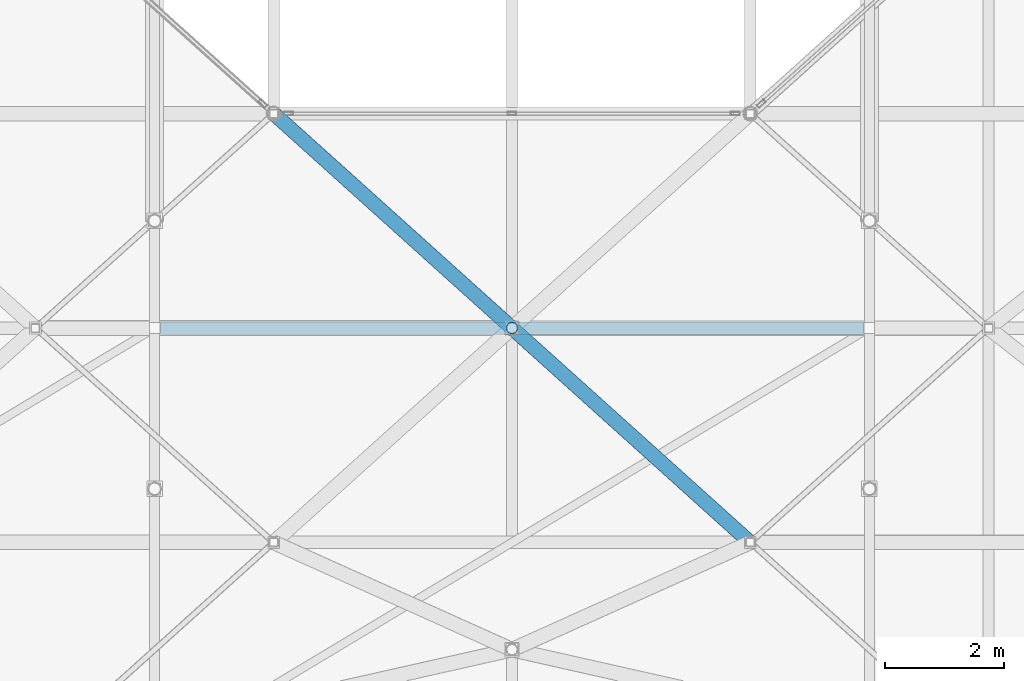
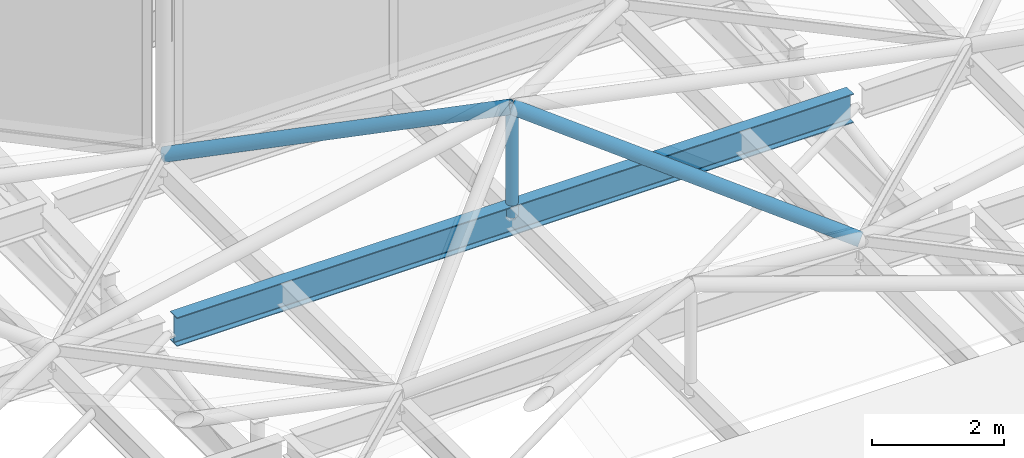
# One storey, part 37 of 239: 3 members, 1 beam.
"""IFC4 building model written with IfcOpenShell, lengths in metres."""

from ifc_helpers import new_model, si_unit, direction, frame, origin, origin_2d, place, context, subcontext, project, spatial, hollow_circle, i_section, extrude, material, material_profile, profile_set, type_object, element, save


model = new_model("IFC4")

# Units and contexts
model_context = context("Model", 3, precision=1e-05, world=origin(), true_north=direction((0.0, 1.0)))
body_context = subcontext(model_context, "Body", "Model", "MODEL_VIEW")
ifc_project = project(units=[si_unit("LENGTHUNIT", "METRE"), si_unit("AREAUNIT", "SQUARE_METRE"), si_unit("VOLUMEUNIT", "CUBIC_METRE"), si_unit("PLANEANGLEUNIT", "RADIAN"), si_unit("MASSUNIT", "GRAM", prefix="KILO")], contexts=[model_context])

# Site, building, storey
site_placement = place(None, origin())
site = spatial("IfcSite", under=ifc_project, at=site_placement, CompositionType="ELEMENT")
building_placement = place(site_placement, origin())
building = spatial("IfcBuilding", under=site, at=building_placement, Name="Dunvalen Ferry Terminal", CompositionType="ELEMENT")
storey_placement = place(building_placement, frame((0.0, 0.0, 9.840087890625)))
storey = spatial("IfcBuildingStorey", under=building, at=storey_placement, Name="L02", CompositionType="ELEMENT", Elevation=9.840087890625)

# Beam
ifc_material = material(Name="Steel S355", Category="steel")
ifc_material_profile_1 = material_profile(ifc_material, i_section(OverallWidth=0.209228515625, OverallDepth=0.533203125, WebThickness=0.010009765625, FlangeThickness=0.015625, FilletRadius=0.0126953125, at=origin_2d()), Name="Steel S355")
ifc_profile_set_1 = profile_set([ifc_material_profile_1], Name="Steel S355")
beam_type = type_object("IfcBeamType", Name="STR-BM-UKB533", PredefinedType="BEAM", material=ifc_profile_set_1)
beam_placement = place(storey_placement, frame((72.10009765625, 57.60009765625, 0.7333984375), z_axis=(1.0, 0.0, 0.0), x_axis=(0.0, 1.0, 0.0)))
element("IfcBeam", 1, at=beam_placement, inside=storey, type_object=beam_type, Name="Departure Hall Spine Girder B6.03", PredefinedType="BEAM", context=body_context, shape_type="SweptSolid", body=[
    extrude(i_section(OverallWidth=0.209228515625, OverallDepth=0.533203125, WebThickness=0.010009765625, FlangeThickness=0.015625, FilletRadius=0.0126953125, at=origin_2d()), origin(), (0.0, 0.0, 1.0), 11.7998046875),
])

# Members
ifc_material_profile_2 = material_profile(ifc_material, hollow_circle(Radius=0.096923828125, WallThickness=0.008056640625, at=origin_2d()), Name="Steel S355")
ifc_profile_set_2 = profile_set([ifc_material_profile_2], Name="Steel S355")
member_type_1 = type_object("IfcMemberType", Name="STR-MB-CHS193", PredefinedType="STRUT", material=ifc_profile_set_2)
member_1_placement = place(storey_placement, frame((78.0, 57.60009765625, 0.77001953125), z_axis=(0.0, 0.0, 1.0), x_axis=(1.0, 0.0, 0.0)))
element("IfcMember", 2, at=member_1_placement, inside=storey, type_object=member_type_1, Name="HEX-35 Pyramid Apex Strut", PredefinedType="STRUT", context=body_context, shape_type="SweptSolid", body=[
    extrude(hollow_circle(Radius=0.096923828125, WallThickness=0.008056640625, at=origin_2d()), origin(), (0.0, 0.0, 1.0), 1.994873046875),
])
ifc_material_profile_3 = material_profile(ifc_material, hollow_circle(Radius=0.122314453125, WallThickness=0.010009765625, at=origin_2d()), Name="Steel S355")
ifc_profile_set_3 = profile_set([ifc_material_profile_3], Name="Steel S355")
member_type_2 = type_object("IfcMemberType", Name="STR-MB-CHS244", PredefinedType="STRUT", material=ifc_profile_set_3)
member_2_placement = place(storey_placement, frame((82.0, 54.0, 1.099853515625), z_axis=(-0.710074680578, 0.639084548328, 0.295575520114), x_axis=(-0.668974757313, -0.743285123004, 0.0)))
element("IfcMember", 3, at=member_2_placement, inside=storey, type_object=member_type_2, Name="HEX-35 Pyramid Hip Rafter 3", PredefinedType="STRUT", context=body_context, shape_type="SweptSolid", body=[
    extrude(hollow_circle(Radius=0.122314453125, WallThickness=0.010009765625, at=origin_2d()), origin(), (0.0, 0.0, 1.0), 5.63330078125),
])
member_3_placement = place(storey_placement, frame((74.0, 61.199951171875, 1.099853515625), z_axis=(0.710094348105, -0.639058908863, 0.295583706914), x_axis=(0.668949692402, 0.74330768127, 0.0)))
element("IfcMember", 4, at=member_3_placement, inside=storey, type_object=member_type_2, Name="HEX-35 Pyramid Hip Rafter 6", PredefinedType="STRUT", context=body_context, shape_type="SweptSolid", body=[
    extrude(hollow_circle(Radius=0.122314453125, WallThickness=0.010009765625, at=origin_2d()), origin(), (0.0, 0.0, 1.0), 5.633056640625),
])

save(model, "model.ifc")
